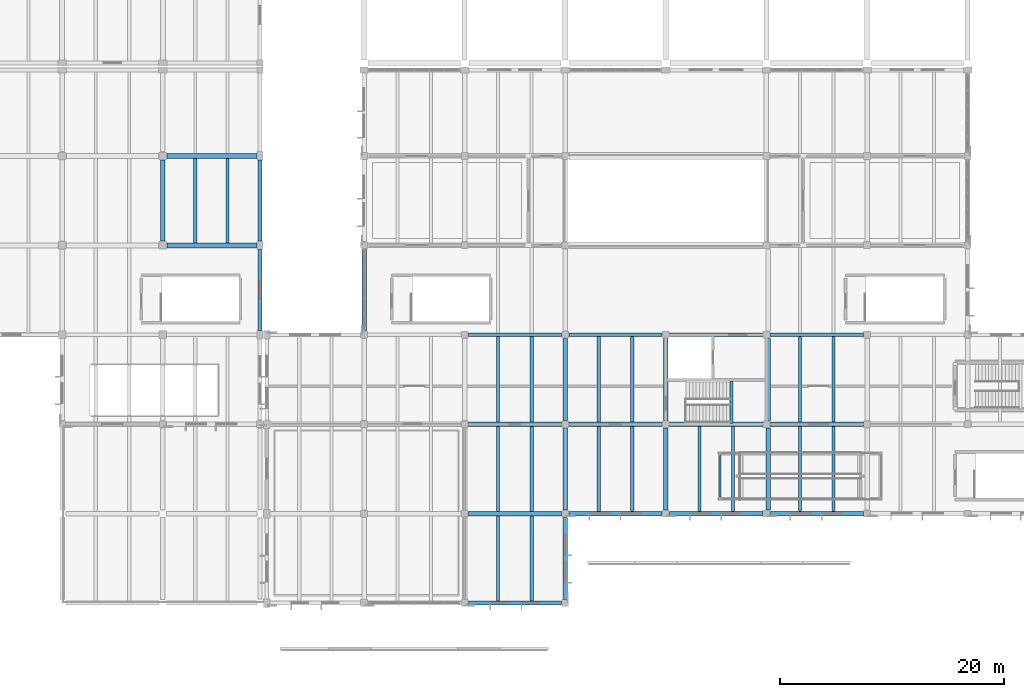
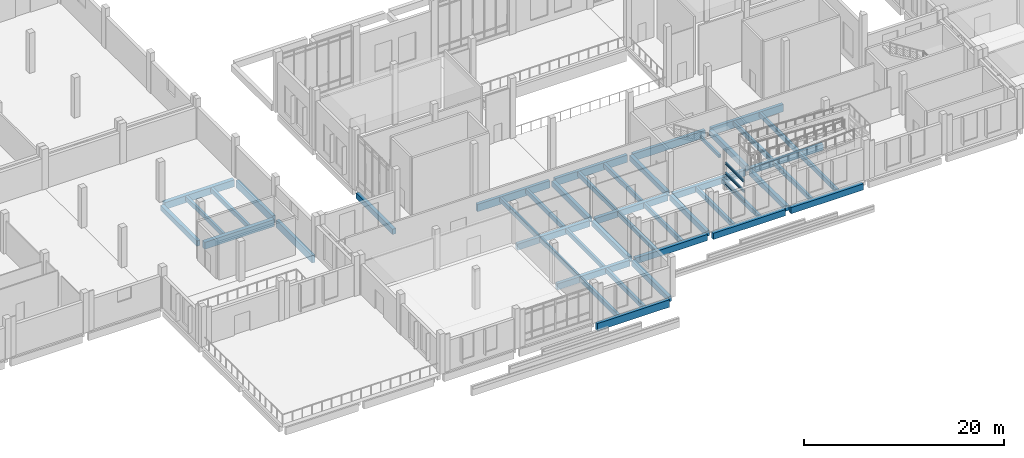
# One storey, part 15 of 110: 48 beams.
"""IFC4 building model written with IfcOpenShell, lengths in metres."""

from ifc_helpers import new_model, si_unit, direction, frame, origin, origin_2d, place, context, subcontext, project, spatial, rectangle, i_section, extrude, material, material_profile, profile_set, type_object, element, save


model = new_model("IFC4")

# Units and contexts
model_context = context("Model", 3, precision=1e-05, world=origin(), true_north=direction((0.0, 1.0)))
body_context = subcontext(model_context, "Body", "Model", "MODEL_VIEW")
ifc_project = project(units=[si_unit("LENGTHUNIT", "METRE"), si_unit("AREAUNIT", "SQUARE_METRE"), si_unit("VOLUMEUNIT", "CUBIC_METRE"), si_unit("PLANEANGLEUNIT", "RADIAN"), si_unit("MASSUNIT", "GRAM", prefix="KILO")], contexts=[model_context])

# Site, building, storey
site_placement = place(None, origin())
site = spatial("IfcSite", under=ifc_project, at=site_placement, CompositionType="ELEMENT")
building_placement = place(site_placement, origin())
building = spatial("IfcBuilding", under=site, at=building_placement, Name="Zacnel Wholesale Market", CompositionType="ELEMENT")
storey_placement = place(building_placement, frame((0.0, 0.0, 6.300048828125)))
storey = spatial("IfcBuildingStorey", under=building, at=storey_placement, Name="L02", CompositionType="ELEMENT", Elevation=6.300048828125)

# Beams
ifc_material_1 = material(Name="Precast concrete C45/55", Category="concrete")
ifc_material_profile_1 = material_profile(ifc_material_1, rectangle(XDim=0.280029296875, YDim=0.550048828125, at=origin_2d()), Name="DT RIB 280x550")
ifc_profile_set_1 = profile_set([ifc_material_profile_1], Name="Precast concrete C45/55")
beam_type_1 = type_object("IfcBeamType", Name="BM-DT550", PredefinedType="JOIST", material=ifc_profile_set_1)
for number, where, z_axis, x_axis, name in (
    (1, (93.0, 0.175048828125, -0.574951171875), (0.0, 1.0, 0.0), (-1.0, 0.0, 0.0), "Precast secondary joist L02-0009"),
    (2, (96.0, 0.175048828125, -0.574951171875), (0.0, 1.0, 0.0), (-1.0, 0.0, 0.0), "Precast secondary joist L02-0010"),
):
    element("IfcBeam", number, at=place(storey_placement, frame(where, z_axis=z_axis, x_axis=x_axis)), inside=storey, type_object=beam_type_1, Name=name, PredefinedType="JOIST", context=body_context, shape_type="SweptSolid", body=[
        extrude(rectangle(XDim=0.280029296875, YDim=0.550048828125, at=origin_2d()), origin(), (0.0, 0.0, 1.0), 7.625),
    ])
for number, where, z_axis, x_axis, name in (
    (3, (93.0, 8.199951171875, -0.574951171875), (0.0, 1.0, 0.0), (-1.0, 0.0, 0.0), "Precast secondary joist L02-0029"),
    (4, (96.0, 8.199951171875, -0.574951171875), (0.0, 1.0, 0.0), (-1.0, 0.0, 0.0), "Precast secondary joist L02-0030"),
    (5, (102.0, 8.199951171875, -0.574951171875), (0.0, 1.0, 0.0), (-1.0, 0.0, 0.0), "Precast secondary joist L02-0031"),
    (6, (105.0, 8.199951171875, -0.574951171875), (0.0, 1.0, 0.0), (-1.0, 0.0, 0.0), "Precast secondary joist L02-0032"),
    (7, (111.0, 8.199951171875, -0.695068359375), (0.0, 1.0, 0.0), (-1.0, 0.0, 0.0), "Precast secondary joist L02-0033"),
    (8, (114.0, 8.199951171875, -0.695068359375), (0.0, 1.0, 0.0), (-1.0, 0.0, 0.0), "Precast secondary joist L02-0034"),
    (9, (120.0, 8.199951171875, -0.695068359375), (0.0, 1.0, 0.0), (-1.0, 0.0, 0.0), "Precast secondary joist L02-0035"),
    (10, (123.0, 8.199951171875, -0.695068359375), (0.0, 1.0, 0.0), (-1.0, 0.0, 0.0), "Precast secondary joist L02-0036"),
):
    element("IfcBeam", number, at=place(storey_placement, frame(where, z_axis=z_axis, x_axis=x_axis)), inside=storey, type_object=beam_type_1, Name=name, PredefinedType="JOIST", context=body_context, shape_type="SweptSolid", body=[
        extrude(rectangle(XDim=0.280029296875, YDim=0.550048828125, at=origin_2d()), origin(), (0.0, 0.0, 1.0), 7.60009765625),
    ])
for number, where, z_axis, x_axis, name in (
    (11, (93.0, 16.199951171875, -0.574951171875), (0.0, 1.0, 0.0), (-1.0, 0.0, 0.0), "Precast secondary joist L02-0061"),
    (12, (96.0, 16.199951171875, -0.574951171875), (0.0, 1.0, 0.0), (-1.0, 0.0, 0.0), "Precast secondary joist L02-0062"),
    (13, (102.0, 16.199951171875, -0.574951171875), (0.0, 1.0, 0.0), (-1.0, 0.0, 0.0), "Precast secondary joist L02-0063"),
    (14, (105.0, 16.199951171875, -0.574951171875), (0.0, 1.0, 0.0), (-1.0, 0.0, 0.0), "Precast secondary joist L02-0064"),
    (15, (120.0, 16.199951171875, -0.695068359375), (0.0, 1.0, 0.0), (-1.0, 0.0, 0.0), "Precast secondary joist L02-0067"),
    (16, (123.0, 16.199951171875, -0.695068359375), (0.0, 1.0, 0.0), (-1.0, 0.0, 0.0), "Precast secondary joist L02-0068"),
):
    element("IfcBeam", number, at=place(storey_placement, frame(where, z_axis=z_axis, x_axis=x_axis)), inside=storey, type_object=beam_type_1, Name=name, PredefinedType="JOIST", context=body_context, shape_type="SweptSolid", body=[
        extrude(rectangle(XDim=0.280029296875, YDim=0.550048828125, at=origin_2d()), origin(), (0.0, 0.0, 1.0), 7.625),
    ])
for number, where, z_axis, x_axis, name in (
    (17, (65.89990234375, 32.22509765625, -0.594970703125), (0.0, 1.0, 0.0), (-1.0, 0.0, 0.0), "Precast secondary joist L02-0123"),
    (18, (68.800048828125, 32.22509765625, -0.594970703125), (0.0, 1.0, 0.0), (-1.0, 0.0, 0.0), "Precast secondary joist L02-0124"),
):
    element("IfcBeam", number, at=place(storey_placement, frame(where, z_axis=z_axis, x_axis=x_axis)), inside=storey, type_object=beam_type_1, Name=name, PredefinedType="JOIST", context=body_context, shape_type="SweptSolid", body=[
        extrude(rectangle(XDim=0.280029296875, YDim=0.550048828125, at=origin_2d()), origin(), (0.0, 0.0, 1.0), 7.5498046875),
    ])
ifc_material_2 = material(Name="Precast concrete C45/55", Category="concrete")
ifc_material_profile_2 = material_profile(ifc_material_2, rectangle(XDim=0.25, YDim=0.35009765625, at=origin_2d()), Name="LN 250x350")
ifc_profile_set_2 = profile_set([ifc_material_profile_2], Name="Precast concrete C45/55")
beam_type_2 = type_object("IfcBeamType", Name="BM-LN350", PredefinedType="LINTEL", material=ifc_profile_set_2)
beam_1_placement = place(storey_placement, frame((113.860107421875, 16.080078125, 2.074951171875), z_axis=(0.0, 1.0, 0.0), x_axis=(-1.0, 0.0, 0.0)))
element("IfcBeam", 19, at=beam_1_placement, inside=storey, type_object=beam_type_2, Name="Stair ST-17 half-landing bearing beam", PredefinedType="LINTEL", context=body_context, shape_type="SweptSolid", body=[
    extrude(rectangle(XDim=0.25, YDim=0.35009765625, at=origin_2d()), origin(), (0.0, 0.0, 1.0), 3.7900390625),
])
ifc_material_3 = material(Name="Precast concrete C45/55", Category="concrete")
ifc_material_profile_3 = material_profile(ifc_material_3, rectangle(XDim=0.39990234375, YDim=0.64990234375, at=origin_2d()), Name="PG 400x650")
ifc_profile_set_3 = profile_set([ifc_material_profile_3], Name="Precast concrete C45/55")
beam_type_3 = type_object("IfcBeamType", Name="BM-PG650", PredefinedType="BEAM", material=ifc_profile_set_3)
beam_2_placement = place(storey_placement, frame((63.0, 32.375, -0.64501953125), z_axis=(0.0, 1.0, 0.0), x_axis=(-1.0, 0.0, 0.0)))
element("IfcBeam", 20, at=beam_2_placement, inside=storey, type_object=beam_type_3, Name="Precast girder Y-0390", PredefinedType="BEAM", context=body_context, shape_type="SweptSolid", body=[
    extrude(rectangle(XDim=0.39990234375, YDim=0.64990234375, at=origin_2d()), origin(), (0.0, 0.0, 1.0), 7.25),
])
for number, where, z_axis, x_axis, name in (
    (21, (81.0, 24.324951171875, -0.625), (0.0, 1.0, 0.0), (-1.0, 0.0, 0.0), "Precast girder Y-0423"),
    (22, (99.0, 0.324951171875, -0.625), (0.0, 1.0, 0.0), (-1.0, 0.0, 0.0), "Precast girder Y-0434"),
    (23, (99.0, 8.324951171875, -0.625), (0.0, 1.0, 0.0), (-1.0, 0.0, 0.0), "Precast girder Y-0435"),
    (24, (99.0, 16.324951171875, -0.625), (0.0, 1.0, 0.0), (-1.0, 0.0, 0.0), "Precast girder Y-0436"),
    (25, (108.0, 8.324951171875, -0.625), (0.0, 1.0, 0.0), (-1.0, 0.0, 0.0), "Precast girder Y-0442"),
    (26, (108.0, 16.324951171875, -0.625), (0.0, 1.0, 0.0), (-1.0, 0.0, 0.0), "Precast girder Y-0443"),
    (27, (117.179931640625, 8.324951171875, -0.7451171875), (0.0, 1.0, 0.0), (-1.0, 0.0, 0.0), "Precast girder Y-0446"),
    (28, (117.179931640625, 16.324951171875, -0.7451171875), (0.0, 1.0, 0.0), (-1.0, 0.0, 0.0), "Precast girder Y-0447"),
):
    element("IfcBeam", number, at=place(storey_placement, frame(where, z_axis=z_axis, x_axis=x_axis)), inside=storey, type_object=beam_type_3, Name=name, PredefinedType="BEAM", context=body_context, shape_type="SweptSolid", body=[
        extrude(rectangle(XDim=0.39990234375, YDim=0.64990234375, at=origin_2d()), origin(), (0.0, 0.0, 1.0), 7.35009765625),
    ])
ifc_material_4 = material(Name="Precast concrete C45/55", Category="concrete")
ifc_material_profile_4 = material_profile(ifc_material_4, rectangle(XDim=0.39990234375, YDim=0.75, at=origin_2d()), Name="PG 400x750")
ifc_profile_set_4 = profile_set([ifc_material_profile_4], Name="Precast concrete C45/55")
beam_type_4 = type_object("IfcBeamType", Name="BM-PG750", PredefinedType="BEAM", material=ifc_profile_set_4)
for number, where, z_axis, x_axis, name in (
    (29, (90.324951171875, 8.0, -0.675048828125), (1.0, 0.0, 0.0), (0.0, 1.0, 0.0), "Precast girder X-0018"),
    (30, (99.324951171875, 8.0, -0.675048828125), (1.0, 0.0, 0.0), (0.0, 1.0, 0.0), "Precast girder X-0019"),
    (31, (108.324951171875, 8.0, -0.795166015625), (1.0, 0.0, 0.0), (0.0, 1.0, 0.0), "Precast girder X-0020"),
    (32, (117.324951171875, 8.0, -0.795166015625), (1.0, 0.0, 0.0), (0.0, 1.0, 0.0), "Precast girder X-0021"),
    (33, (90.324951171875, 16.0, -0.675048828125), (1.0, 0.0, 0.0), (0.0, 1.0, 0.0), "Precast girder X-0035"),
    (34, (99.324951171875, 16.0, -0.675048828125), (1.0, 0.0, 0.0), (0.0, 1.0, 0.0), "Precast girder X-0036"),
    (35, (108.324951171875, 16.0, -0.795166015625), (1.0, 0.0, 0.0), (0.0, 1.0, 0.0), "Precast girder X-0037"),
    (36, (117.324951171875, 16.0, -0.795166015625), (1.0, 0.0, 0.0), (0.0, 1.0, 0.0), "Precast girder X-0038"),
):
    element("IfcBeam", number, at=place(storey_placement, frame(where, z_axis=z_axis, x_axis=x_axis)), inside=storey, type_object=beam_type_4, Name=name, PredefinedType="BEAM", context=body_context, shape_type="SweptSolid", body=[
        extrude(rectangle(XDim=0.39990234375, YDim=0.75, at=origin_2d()), origin(), (0.0, 0.0, 1.0), 8.35009765625),
    ])
ifc_material_5 = material(Name="Precast concrete C45/55", Category="concrete")
ifc_material_profile_5 = material_profile(ifc_material_5, rectangle(XDim=0.449951171875, YDim=0.85009765625, at=origin_2d()), Name="PG 450x850")
ifc_profile_set_5 = profile_set([ifc_material_profile_5], Name="Precast concrete C45/55")
beam_type_5 = type_object("IfcBeamType", Name="BM-PG850", PredefinedType="BEAM", material=ifc_profile_set_5)
for number, where, z_axis, x_axis, name in (
    (37, (63.375, 32.0, -0.7451171875), (1.0, 0.0, 0.0), (0.0, 1.0, 0.0), "Precast girder X-0080"),
    (38, (63.375, 40.0, -0.7451171875), (1.0, 0.0, 0.0), (0.0, 1.0, 0.0), "Precast girder X-0101"),
):
    element("IfcBeam", number, at=place(storey_placement, frame(where, z_axis=z_axis, x_axis=x_axis)), inside=storey, type_object=beam_type_5, Name=name, PredefinedType="BEAM", context=body_context, shape_type="SweptSolid", body=[
        extrude(rectangle(XDim=0.449951171875, YDim=0.85009765625, at=origin_2d()), origin(), (0.0, 0.0, 1.0), 8.050048828125),
    ])
ifc_material_6 = material(Name="Precast concrete C45/55", Category="concrete")
ifc_material_profile_6 = material_profile(ifc_material_6, rectangle(XDim=0.35009765625, YDim=0.89990234375, at=origin_2d()), Name="SP 350x900")
ifc_profile_set_6 = profile_set([ifc_material_profile_6], Name="Precast concrete C45/55")
beam_type_6 = type_object("IfcBeamType", Name="BM-SP900", PredefinedType="SPANDREL", material=ifc_profile_set_6)
for number, where, z_axis, x_axis, name in (
    (39, (90.324951171875, 0.0, -0.75), (1.0, 0.0, 0.0), (0.0, 1.0, 0.0), "Precast girder X-0005"),
    (40, (90.324951171875, 24.0, -0.75), (1.0, 0.0, 0.0), (0.0, 1.0, 0.0), "Precast girder X-0059"),
    (41, (99.324951171875, 24.0, -0.75), (1.0, 0.0, 0.0), (0.0, 1.0, 0.0), "Precast girder X-0060"),
    (42, (108.324951171875, 24.0, -0.8701171875), (1.0, 0.0, 0.0), (0.0, 1.0, 0.0), "Precast girder X-0061"),
    (43, (117.324951171875, 24.0, -0.8701171875), (1.0, 0.0, 0.0), (0.0, 1.0, 0.0), "Precast girder X-0062"),
):
    element("IfcBeam", number, at=place(storey_placement, frame(where, z_axis=z_axis, x_axis=x_axis)), inside=storey, type_object=beam_type_6, Name=name, PredefinedType="SPANDREL", context=body_context, shape_type="SweptSolid", body=[
        extrude(rectangle(XDim=0.35009765625, YDim=0.89990234375, at=origin_2d()), origin(), (0.0, 0.0, 1.0), 8.35009765625),
    ])
for number, where, z_axis, x_axis, name in (
    (44, (71.699951171875, 24.375, -0.77001953125), (0.0, 1.0, 0.0), (-1.0, 0.0, 0.0), "Precast girder Y-0404"),
    (45, (71.699951171875, 32.375, -0.77001953125), (0.0, 1.0, 0.0), (-1.0, 0.0, 0.0), "Precast girder Y-0405"),
):
    element("IfcBeam", number, at=place(storey_placement, frame(where, z_axis=z_axis, x_axis=x_axis)), inside=storey, type_object=beam_type_6, Name=name, PredefinedType="SPANDREL", context=body_context, shape_type="SweptSolid", body=[
        extrude(rectangle(XDim=0.35009765625, YDim=0.89990234375, at=origin_2d()), origin(), (0.0, 0.0, 1.0), 7.25),
    ])
ifc_material_7 = material(Name="Steel S355", Category="steel")
ifc_material_profile_7 = material_profile(ifc_material_7, i_section(OverallWidth=0.14599609375, OverallDepth=0.258056640625, WebThickness=0.006103515625, FlangeThickness=0.009033203125, FilletRadius=0.009033203125, at=origin_2d()), Name="W250X32.7")
ifc_profile_set_7 = profile_set([ifc_material_profile_7], Name="Steel S355")
beam_type_7 = type_object("IfcBeamType", Name="BM-STL-W250", PredefinedType="JOIST", material=ifc_profile_set_7)
for number, where, z_axis, x_axis, name in (
    (46, (112.8798828125, 9.47998046875, 0.8798828125), (0.0, 1.0, 0.0), (-1.0, 0.0, 0.0), "Accessible ramp RP-04 (RMP-PROM-2) landing edge beam 2"),
    (47, (112.8798828125, 9.47998046875, 2.10498046875), (0.0, 1.0, 0.0), (-1.0, 0.0, 0.0), "Accessible ramp RP-04 (RMP-PROM-2) landing edge beam 4"),
    (48, (112.8798828125, 9.47998046875, 3.329833984375), (0.0, 1.0, 0.0), (-1.0, 0.0, 0.0), "Accessible ramp RP-04 (RMP-PROM-2) landing edge beam 6"),
):
    element("IfcBeam", number, at=place(storey_placement, frame(where, z_axis=z_axis, x_axis=x_axis)), inside=storey, type_object=beam_type_7, Name=name, PredefinedType="JOIST", context=body_context, shape_type="SweptSolid", body=[
        extrude(i_section(OverallWidth=0.14599609375, OverallDepth=0.258056640625, WebThickness=0.006103515625, FlangeThickness=0.009033203125, FilletRadius=0.009033203125, at=origin_2d()), origin(), (0.0, 0.0, 1.0), 3.739990234375),
    ])

save(model, "model.ifc")
